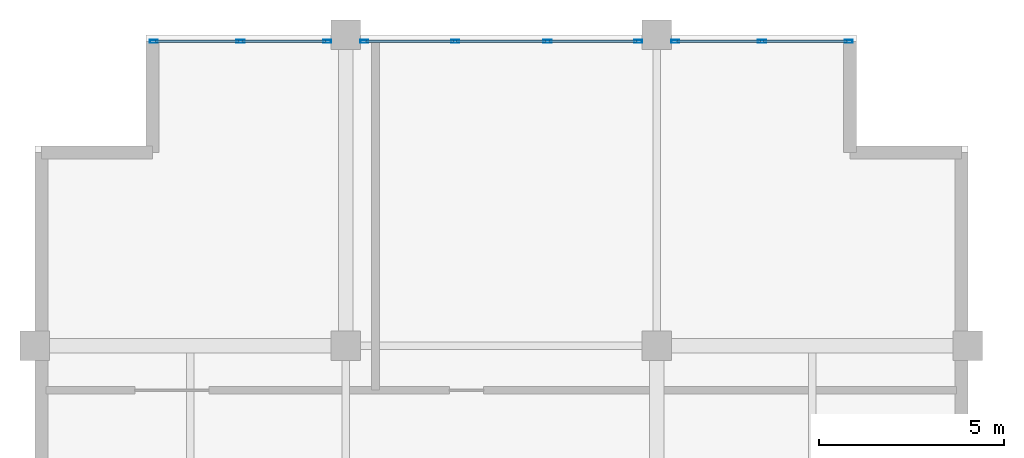
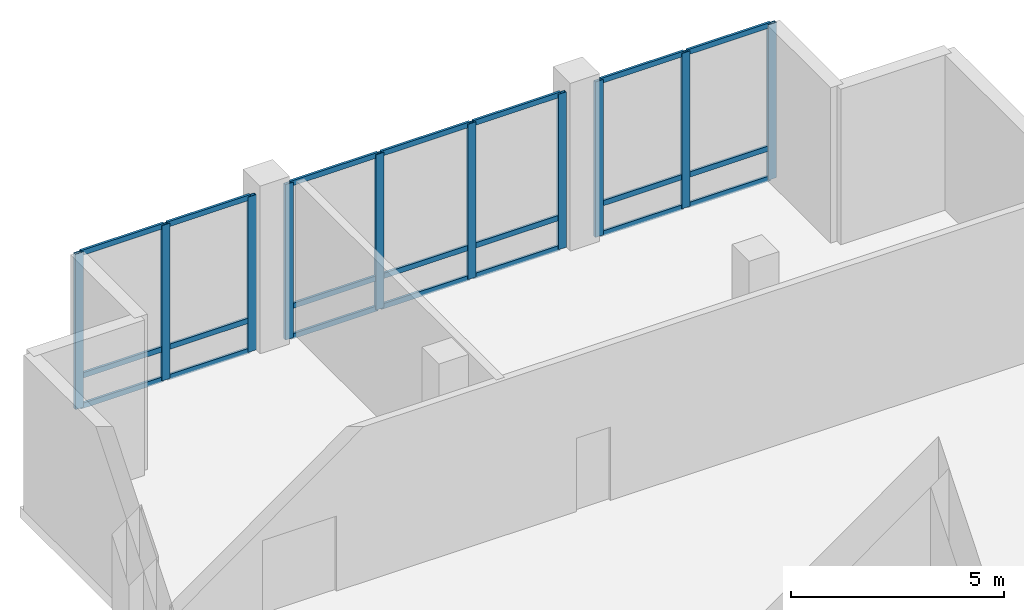
# One storey, part 7 of 18: 31 members, 3 elements without a shape of their own.
"""IFC4 building model written with IfcOpenShell, lengths in metres."""

from ifc_helpers import new_model, si_unit, direction, frame, origin, origin_2d, place, context, subcontext, project, spatial, hollow_rectangle, extrude, material, layer, layer_set, material_profile, profile_set, type_object, element, aggregate, save


model = new_model("IFC4")

# Units and contexts
model_context = context("Model", 3, precision=1e-05, world=origin(), true_north=direction((0.0, 1.0)))
body_context = subcontext(model_context, "Body", "Model", "MODEL_VIEW")
ifc_project = project(units=[si_unit("LENGTHUNIT", "METRE"), si_unit("AREAUNIT", "SQUARE_METRE"), si_unit("VOLUMEUNIT", "CUBIC_METRE"), si_unit("PLANEANGLEUNIT", "RADIAN"), si_unit("MASSUNIT", "GRAM", prefix="KILO")], contexts=[model_context])

# Site, building, storey
site_placement = place(None, origin())
site = spatial("IfcSite", under=ifc_project, at=site_placement, CompositionType="ELEMENT")
building_placement = place(site_placement, origin())
building = spatial("IfcBuilding", under=site, at=building_placement, Name="Koriwani Terraces Tower", CompositionType="ELEMENT")
storey_placement = place(building_placement, frame((0.0, 0.0, 363.800048828125)))
storey = spatial("IfcBuildingStorey", under=building, at=storey_placement, Name="L90", CompositionType="ELEMENT", Elevation=363.800048828125)

# Curtain wall, members
ifc_material = material(Name="Anodised Bronze Aluminium", Category="aluminium")
ifc_layer = layer(ifc_material, 0.219970703125, Name="Anodised Bronze Aluminium")
ifc_layer_set = layer_set([ifc_layer], Name="Anodised Bronze Aluminium")
curtain_wall_type = type_object("IfcCurtainWallType", Name="CW_SKY_LOUNGE", PredefinedType="NOTDEFINED", material=ifc_layer_set)
curtain_wall_1_placement = place(storey_placement, origin())
curtain_wall_1 = element("IfcCurtainWall", 1, at=curtain_wall_1_placement, inside=storey, type_object=curtain_wall_type, Name="L90 Unitised Curtain Wall (N_TIP) Bay 1", PredefinedType="NOTDEFINED")
ifc_material_profile_1 = material_profile(ifc_material, hollow_rectangle(XDim=0.0849609375, YDim=0.219970703125, WallThickness=0.008056640625, at=origin_2d()), Name="Anodised Bronze Aluminium", Category="LoadBearing")
ifc_profile_set_1 = profile_set([ifc_material_profile_1], Name="Anodised Bronze Aluminium")
member_type_1 = type_object("IfcMemberType", Name="CW_MULLION_220X85", PredefinedType="MULLION", material=ifc_profile_set_1)
member_1_placement = place(storey_placement, frame((11.617431640625, 75.425048828125, 0.0), z_axis=(0.0, 0.0, 1.0), x_axis=(0.0, 1.0, 0.0)))
member_1 = element("IfcMember", 2, at=member_1_placement, type_object=member_type_1, Name="CW-SKY mullion 1", PredefinedType="MULLION", context=body_context, shape_type="SweptSolid", body=[
    extrude(hollow_rectangle(XDim=0.0849609375, YDim=0.219970703125, WallThickness=0.008056640625, at=origin_2d()), origin(), (0.0, 0.0, 1.0), 4.449951171875),
])
member_2_placement = place(storey_placement, frame((13.95751953125, 75.425048828125, 0.0), z_axis=(0.0, 0.0, 1.0), x_axis=(0.0, 1.0, 0.0)))
member_2 = element("IfcMember", 3, at=member_2_placement, type_object=member_type_1, Name="CW-SKY mullion 2", PredefinedType="MULLION", context=body_context, shape_type="SweptSolid", body=[
    extrude(hollow_rectangle(XDim=0.0849609375, YDim=0.219970703125, WallThickness=0.008056640625, at=origin_2d()), origin(), (0.0, 0.0, 1.0), 4.449951171875),
])
member_3_placement = place(storey_placement, frame((16.297607421875, 75.425048828125, 0.0), z_axis=(0.0, 0.0, 1.0), x_axis=(0.0, 1.0, 0.0)))
member_3 = element("IfcMember", 4, at=member_3_placement, type_object=member_type_1, Name="CW-SKY mullion 3", PredefinedType="MULLION", context=body_context, shape_type="SweptSolid", body=[
    extrude(hollow_rectangle(XDim=0.0849609375, YDim=0.219970703125, WallThickness=0.008056640625, at=origin_2d()), origin(), (0.0, 0.0, 1.0), 4.449951171875),
])

curtain_wall_2_placement = place(storey_placement, origin())
curtain_wall_2 = element("IfcCurtainWall", 5, at=curtain_wall_2_placement, inside=storey, type_object=curtain_wall_type, Name="L90 Unitised Curtain Wall (N_TIP) Bay 2", PredefinedType="NOTDEFINED")
member_4_placement = place(storey_placement, frame((17.302490234375, 75.425048828125, 0.0), z_axis=(0.0, 0.0, 1.0), x_axis=(0.0, 1.0, 0.0)))
member_4 = element("IfcMember", 6, at=member_4_placement, type_object=member_type_1, Name="CW-SKY mullion 1", PredefinedType="MULLION", context=body_context, shape_type="SweptSolid", body=[
    extrude(hollow_rectangle(XDim=0.0849609375, YDim=0.219970703125, WallThickness=0.008056640625, at=origin_2d()), origin(), (0.0, 0.0, 1.0), 4.449951171875),
])
member_5_placement = place(storey_placement, frame((19.75341796875, 75.425048828125, 0.0), z_axis=(0.0, 0.0, 1.0), x_axis=(0.0, 1.0, 0.0)))
member_5 = element("IfcMember", 7, at=member_5_placement, type_object=member_type_1, Name="CW-SKY mullion 2", PredefinedType="MULLION", context=body_context, shape_type="SweptSolid", body=[
    extrude(hollow_rectangle(XDim=0.0849609375, YDim=0.219970703125, WallThickness=0.008056640625, at=origin_2d()), origin(), (0.0, 0.0, 1.0), 4.449951171875),
])
member_6_placement = place(storey_placement, frame((22.24658203125, 75.425048828125, 0.0), z_axis=(0.0, 0.0, 1.0), x_axis=(0.0, 1.0, 0.0)))
member_6 = element("IfcMember", 8, at=member_6_placement, type_object=member_type_1, Name="CW-SKY mullion 3", PredefinedType="MULLION", context=body_context, shape_type="SweptSolid", body=[
    extrude(hollow_rectangle(XDim=0.0849609375, YDim=0.219970703125, WallThickness=0.008056640625, at=origin_2d()), origin(), (0.0, 0.0, 1.0), 4.449951171875),
])
member_7_placement = place(storey_placement, frame((24.697509765625, 75.425048828125, 0.0), z_axis=(0.0, 0.0, 1.0), x_axis=(0.0, 1.0, 0.0)))
member_7 = element("IfcMember", 9, at=member_7_placement, type_object=member_type_1, Name="CW-SKY mullion 4", PredefinedType="MULLION", context=body_context, shape_type="SweptSolid", body=[
    extrude(hollow_rectangle(XDim=0.0849609375, YDim=0.219970703125, WallThickness=0.008056640625, at=origin_2d()), origin(), (0.0, 0.0, 1.0), 4.449951171875),
])

curtain_wall_3_placement = place(storey_placement, origin())
curtain_wall_3 = element("IfcCurtainWall", 10, at=curtain_wall_3_placement, inside=storey, type_object=curtain_wall_type, Name="L90 Unitised Curtain Wall (N_TIP) Bay 3", PredefinedType="NOTDEFINED")
member_8_placement = place(storey_placement, frame((25.702392578125, 75.425048828125, 0.0), z_axis=(0.0, 0.0, 1.0), x_axis=(0.0, 1.0, 0.0)))
member_8 = element("IfcMember", 11, at=member_8_placement, type_object=member_type_1, Name="CW-SKY mullion 1", PredefinedType="MULLION", context=body_context, shape_type="SweptSolid", body=[
    extrude(hollow_rectangle(XDim=0.0849609375, YDim=0.219970703125, WallThickness=0.008056640625, at=origin_2d()), origin(), (0.0, 0.0, 1.0), 4.449951171875),
])
member_9_placement = place(storey_placement, frame((28.04248046875, 75.425048828125, 0.0), z_axis=(0.0, 0.0, 1.0), x_axis=(0.0, 1.0, 0.0)))
member_9 = element("IfcMember", 12, at=member_9_placement, type_object=member_type_1, Name="CW-SKY mullion 2", PredefinedType="MULLION", context=body_context, shape_type="SweptSolid", body=[
    extrude(hollow_rectangle(XDim=0.0849609375, YDim=0.219970703125, WallThickness=0.008056640625, at=origin_2d()), origin(), (0.0, 0.0, 1.0), 4.449951171875),
])
member_10_placement = place(storey_placement, frame((30.382568359375, 75.425048828125, 0.0), z_axis=(0.0, 0.0, 1.0), x_axis=(0.0, 1.0, 0.0)))
member_10 = element("IfcMember", 13, at=member_10_placement, type_object=member_type_1, Name="CW-SKY mullion 3", PredefinedType="MULLION", context=body_context, shape_type="SweptSolid", body=[
    extrude(hollow_rectangle(XDim=0.0849609375, YDim=0.219970703125, WallThickness=0.008056640625, at=origin_2d()), origin(), (0.0, 0.0, 1.0), 4.449951171875),
])

# Member
ifc_material_profile_2 = material_profile(ifc_material, hollow_rectangle(XDim=0.06494140625, YDim=0.14990234375, WallThickness=0.0048828125, at=origin_2d()), Name="Anodised Bronze Aluminium", Category="LoadBearing")
ifc_profile_set_2 = profile_set([ifc_material_profile_2], Name="Anodised Bronze Aluminium")
member_type_2 = type_object("IfcMemberType", Name="CW_TRANSOM_150X65", PredefinedType="USERDEFINED", material=ifc_profile_set_2)
member_11_placement = place(storey_placement, frame((11.659912109375, 75.425048828125, 0.032470703125), z_axis=(1.0, 0.0, 0.0), x_axis=(0.0, 1.0, 0.0)))
member_11 = element("IfcMember", 14, at=member_11_placement, type_object=member_type_2, Name="CW-SKY transom 1.1", ObjectType="TRANSOM", PredefinedType="USERDEFINED", context=body_context, shape_type="SweptSolid", body=[
    extrude(hollow_rectangle(XDim=0.06494140625, YDim=0.14990234375, WallThickness=0.0048828125, at=origin_2d()), origin(), (0.0, 0.0, 1.0), 2.255126953125),
])

member_12_placement = place(storey_placement, frame((11.659912109375, 75.425048828125, 0.89990234375), z_axis=(1.0, 0.0, 0.0), x_axis=(0.0, 1.0, 0.0)))
member_12 = element("IfcMember", 15, at=member_12_placement, type_object=member_type_2, Name="CW-SKY transom 1.2", ObjectType="TRANSOM", PredefinedType="USERDEFINED", context=body_context, shape_type="SweptSolid", body=[
    extrude(hollow_rectangle(XDim=0.06494140625, YDim=0.14990234375, WallThickness=0.0048828125, at=origin_2d()), origin(), (0.0, 0.0, 1.0), 2.255126953125),
])

member_13_placement = place(storey_placement, frame((11.659912109375, 75.425048828125, 4.41748046875), z_axis=(1.0, 0.0, 0.0), x_axis=(0.0, 1.0, 0.0)))
member_13 = element("IfcMember", 16, at=member_13_placement, type_object=member_type_2, Name="CW-SKY transom 1.3", ObjectType="TRANSOM", PredefinedType="USERDEFINED", context=body_context, shape_type="SweptSolid", body=[
    extrude(hollow_rectangle(XDim=0.06494140625, YDim=0.14990234375, WallThickness=0.0048828125, at=origin_2d()), origin(), (0.0, 0.0, 1.0), 2.255126953125),
])

member_14_placement = place(storey_placement, frame((14.0, 75.425048828125, 0.032470703125), z_axis=(1.0, 0.0, 0.0), x_axis=(0.0, 1.0, 0.0)))
member_14 = element("IfcMember", 17, at=member_14_placement, type_object=member_type_2, Name="CW-SKY transom 2.1", ObjectType="TRANSOM", PredefinedType="USERDEFINED", context=body_context, shape_type="SweptSolid", body=[
    extrude(hollow_rectangle(XDim=0.06494140625, YDim=0.14990234375, WallThickness=0.0048828125, at=origin_2d()), origin(), (0.0, 0.0, 1.0), 2.2548828125),
])

member_15_placement = place(storey_placement, frame((14.0, 75.425048828125, 0.89990234375), z_axis=(1.0, 0.0, 0.0), x_axis=(0.0, 1.0, 0.0)))
member_15 = element("IfcMember", 18, at=member_15_placement, type_object=member_type_2, Name="CW-SKY transom 2.2", ObjectType="TRANSOM", PredefinedType="USERDEFINED", context=body_context, shape_type="SweptSolid", body=[
    extrude(hollow_rectangle(XDim=0.06494140625, YDim=0.14990234375, WallThickness=0.0048828125, at=origin_2d()), origin(), (0.0, 0.0, 1.0), 2.2548828125),
])

member_16_placement = place(storey_placement, frame((14.0, 75.425048828125, 4.41748046875), z_axis=(1.0, 0.0, 0.0), x_axis=(0.0, 1.0, 0.0)))
member_16 = element("IfcMember", 19, at=member_16_placement, type_object=member_type_2, Name="CW-SKY transom 2.3", ObjectType="TRANSOM", PredefinedType="USERDEFINED", context=body_context, shape_type="SweptSolid", body=[
    extrude(hollow_rectangle(XDim=0.06494140625, YDim=0.14990234375, WallThickness=0.0048828125, at=origin_2d()), origin(), (0.0, 0.0, 1.0), 2.2548828125),
])

aggregate(curtain_wall_1, [member_1, member_2, member_3, member_11, member_12, member_13, member_14, member_15, member_16])

member_17_placement = place(storey_placement, frame((17.344970703125, 75.425048828125, 0.032470703125), z_axis=(1.0, 0.0, 0.0), x_axis=(0.0, 1.0, 0.0)))
member_17 = element("IfcMember", 20, at=member_17_placement, type_object=member_type_2, Name="CW-SKY transom 1.1", ObjectType="TRANSOM", PredefinedType="USERDEFINED", context=body_context, shape_type="SweptSolid", body=[
    extrude(hollow_rectangle(XDim=0.06494140625, YDim=0.14990234375, WallThickness=0.0048828125, at=origin_2d()), origin(), (0.0, 0.0, 1.0), 2.365966796875),
])

member_18_placement = place(storey_placement, frame((17.344970703125, 75.425048828125, 0.89990234375), z_axis=(1.0, 0.0, 0.0), x_axis=(0.0, 1.0, 0.0)))
member_18 = element("IfcMember", 21, at=member_18_placement, type_object=member_type_2, Name="CW-SKY transom 1.2", ObjectType="TRANSOM", PredefinedType="USERDEFINED", context=body_context, shape_type="SweptSolid", body=[
    extrude(hollow_rectangle(XDim=0.06494140625, YDim=0.14990234375, WallThickness=0.0048828125, at=origin_2d()), origin(), (0.0, 0.0, 1.0), 2.365966796875),
])

member_19_placement = place(storey_placement, frame((17.344970703125, 75.425048828125, 4.41748046875), z_axis=(1.0, 0.0, 0.0), x_axis=(0.0, 1.0, 0.0)))
member_19 = element("IfcMember", 22, at=member_19_placement, type_object=member_type_2, Name="CW-SKY transom 1.3", ObjectType="TRANSOM", PredefinedType="USERDEFINED", context=body_context, shape_type="SweptSolid", body=[
    extrude(hollow_rectangle(XDim=0.06494140625, YDim=0.14990234375, WallThickness=0.0048828125, at=origin_2d()), origin(), (0.0, 0.0, 1.0), 2.365966796875),
])

member_20_placement = place(storey_placement, frame((19.7958984375, 75.425048828125, 0.032470703125), z_axis=(1.0, 0.0, 0.0), x_axis=(0.0, 1.0, 0.0)))
member_20 = element("IfcMember", 23, at=member_20_placement, type_object=member_type_2, Name="CW-SKY transom 2.1", ObjectType="TRANSOM", PredefinedType="USERDEFINED", context=body_context, shape_type="SweptSolid", body=[
    extrude(hollow_rectangle(XDim=0.06494140625, YDim=0.14990234375, WallThickness=0.0048828125, at=origin_2d()), origin(), (0.0, 0.0, 1.0), 2.408203125),
])

member_21_placement = place(storey_placement, frame((19.7958984375, 75.425048828125, 0.89990234375), z_axis=(1.0, 0.0, 0.0), x_axis=(0.0, 1.0, 0.0)))
member_21 = element("IfcMember", 24, at=member_21_placement, type_object=member_type_2, Name="CW-SKY transom 2.2", ObjectType="TRANSOM", PredefinedType="USERDEFINED", context=body_context, shape_type="SweptSolid", body=[
    extrude(hollow_rectangle(XDim=0.06494140625, YDim=0.14990234375, WallThickness=0.0048828125, at=origin_2d()), origin(), (0.0, 0.0, 1.0), 2.408203125),
])

member_22_placement = place(storey_placement, frame((19.7958984375, 75.425048828125, 4.41748046875), z_axis=(1.0, 0.0, 0.0), x_axis=(0.0, 1.0, 0.0)))
member_22 = element("IfcMember", 25, at=member_22_placement, type_object=member_type_2, Name="CW-SKY transom 2.3", ObjectType="TRANSOM", PredefinedType="USERDEFINED", context=body_context, shape_type="SweptSolid", body=[
    extrude(hollow_rectangle(XDim=0.06494140625, YDim=0.14990234375, WallThickness=0.0048828125, at=origin_2d()), origin(), (0.0, 0.0, 1.0), 2.408203125),
])

member_23_placement = place(storey_placement, frame((22.2890625, 75.425048828125, 0.032470703125), z_axis=(1.0, 0.0, 0.0), x_axis=(0.0, 1.0, 0.0)))
member_23 = element("IfcMember", 26, at=member_23_placement, type_object=member_type_2, Name="CW-SKY transom 3.1", ObjectType="TRANSOM", PredefinedType="USERDEFINED", context=body_context, shape_type="SweptSolid", body=[
    extrude(hollow_rectangle(XDim=0.06494140625, YDim=0.14990234375, WallThickness=0.0048828125, at=origin_2d()), origin(), (0.0, 0.0, 1.0), 2.365966796875),
])

member_24_placement = place(storey_placement, frame((22.2890625, 75.425048828125, 0.89990234375), z_axis=(1.0, 0.0, 0.0), x_axis=(0.0, 1.0, 0.0)))
member_24 = element("IfcMember", 27, at=member_24_placement, type_object=member_type_2, Name="CW-SKY transom 3.2", ObjectType="TRANSOM", PredefinedType="USERDEFINED", context=body_context, shape_type="SweptSolid", body=[
    extrude(hollow_rectangle(XDim=0.06494140625, YDim=0.14990234375, WallThickness=0.0048828125, at=origin_2d()), origin(), (0.0, 0.0, 1.0), 2.365966796875),
])

member_25_placement = place(storey_placement, frame((22.2890625, 75.425048828125, 4.41748046875), z_axis=(1.0, 0.0, 0.0), x_axis=(0.0, 1.0, 0.0)))
member_25 = element("IfcMember", 28, at=member_25_placement, type_object=member_type_2, Name="CW-SKY transom 3.3", ObjectType="TRANSOM", PredefinedType="USERDEFINED", context=body_context, shape_type="SweptSolid", body=[
    extrude(hollow_rectangle(XDim=0.06494140625, YDim=0.14990234375, WallThickness=0.0048828125, at=origin_2d()), origin(), (0.0, 0.0, 1.0), 2.365966796875),
])

aggregate(curtain_wall_2, [member_4, member_5, member_6, member_7, member_17, member_18, member_19, member_20, member_21, member_22, member_23, member_24, member_25])

member_26_placement = place(storey_placement, frame((25.7451171875, 75.425048828125, 0.032470703125), z_axis=(1.0, 0.0, 0.0), x_axis=(0.0, 1.0, 0.0)))
member_26 = element("IfcMember", 29, at=member_26_placement, type_object=member_type_2, Name="CW-SKY transom 1.1", ObjectType="TRANSOM", PredefinedType="USERDEFINED", context=body_context, shape_type="SweptSolid", body=[
    extrude(hollow_rectangle(XDim=0.06494140625, YDim=0.14990234375, WallThickness=0.0048828125, at=origin_2d()), origin(), (0.0, 0.0, 1.0), 2.2548828125),
])

member_27_placement = place(storey_placement, frame((25.7451171875, 75.425048828125, 0.89990234375), z_axis=(1.0, 0.0, 0.0), x_axis=(0.0, 1.0, 0.0)))
member_27 = element("IfcMember", 30, at=member_27_placement, type_object=member_type_2, Name="CW-SKY transom 1.2", ObjectType="TRANSOM", PredefinedType="USERDEFINED", context=body_context, shape_type="SweptSolid", body=[
    extrude(hollow_rectangle(XDim=0.06494140625, YDim=0.14990234375, WallThickness=0.0048828125, at=origin_2d()), origin(), (0.0, 0.0, 1.0), 2.2548828125),
])

member_28_placement = place(storey_placement, frame((25.7451171875, 75.425048828125, 4.41748046875), z_axis=(1.0, 0.0, 0.0), x_axis=(0.0, 1.0, 0.0)))
member_28 = element("IfcMember", 31, at=member_28_placement, type_object=member_type_2, Name="CW-SKY transom 1.3", ObjectType="TRANSOM", PredefinedType="USERDEFINED", context=body_context, shape_type="SweptSolid", body=[
    extrude(hollow_rectangle(XDim=0.06494140625, YDim=0.14990234375, WallThickness=0.0048828125, at=origin_2d()), origin(), (0.0, 0.0, 1.0), 2.2548828125),
])

member_29_placement = place(storey_placement, frame((28.0849609375, 75.425048828125, 0.032470703125), z_axis=(1.0, 0.0, 0.0), x_axis=(0.0, 1.0, 0.0)))
member_29 = element("IfcMember", 32, at=member_29_placement, type_object=member_type_2, Name="CW-SKY transom 2.1", ObjectType="TRANSOM", PredefinedType="USERDEFINED", context=body_context, shape_type="SweptSolid", body=[
    extrude(hollow_rectangle(XDim=0.06494140625, YDim=0.14990234375, WallThickness=0.0048828125, at=origin_2d()), origin(), (0.0, 0.0, 1.0), 2.255126953125),
])

member_30_placement = place(storey_placement, frame((28.0849609375, 75.425048828125, 0.89990234375), z_axis=(1.0, 0.0, 0.0), x_axis=(0.0, 1.0, 0.0)))
member_30 = element("IfcMember", 33, at=member_30_placement, type_object=member_type_2, Name="CW-SKY transom 2.2", ObjectType="TRANSOM", PredefinedType="USERDEFINED", context=body_context, shape_type="SweptSolid", body=[
    extrude(hollow_rectangle(XDim=0.06494140625, YDim=0.14990234375, WallThickness=0.0048828125, at=origin_2d()), origin(), (0.0, 0.0, 1.0), 2.255126953125),
])

member_31_placement = place(storey_placement, frame((28.0849609375, 75.425048828125, 4.41748046875), z_axis=(1.0, 0.0, 0.0), x_axis=(0.0, 1.0, 0.0)))
member_31 = element("IfcMember", 34, at=member_31_placement, type_object=member_type_2, Name="CW-SKY transom 2.3", ObjectType="TRANSOM", PredefinedType="USERDEFINED", context=body_context, shape_type="SweptSolid", body=[
    extrude(hollow_rectangle(XDim=0.06494140625, YDim=0.14990234375, WallThickness=0.0048828125, at=origin_2d()), origin(), (0.0, 0.0, 1.0), 2.255126953125),
])

aggregate(curtain_wall_3, [member_8, member_9, member_10, member_26, member_27, member_28, member_29, member_30, member_31])

save(model, "model.ifc")
